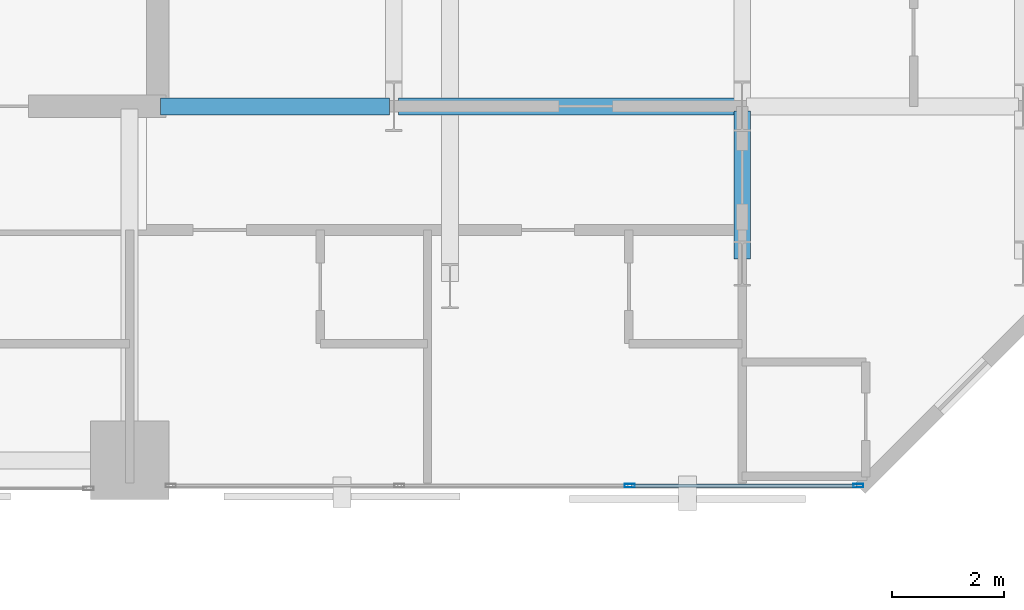
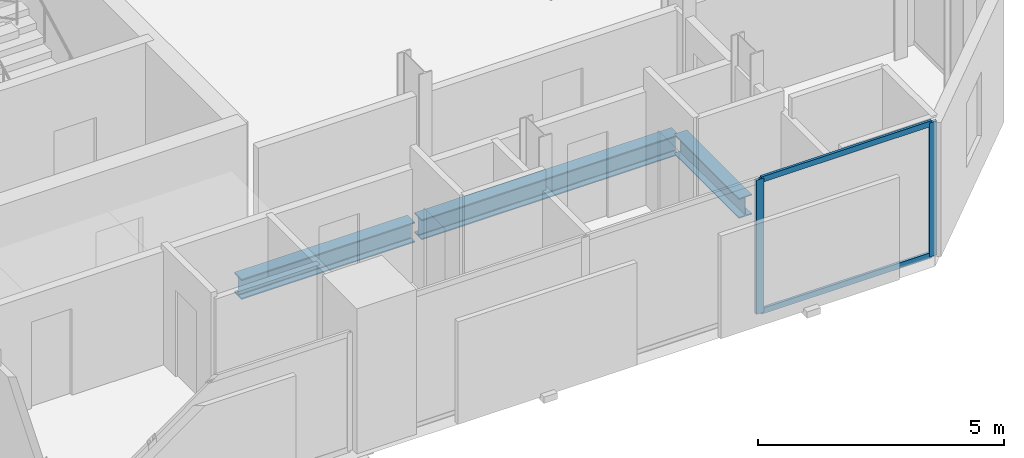
# One storey, part 16 of 33: 4 members, 3 beams, 1 element without a shape of its own.
"""IFC4 building model written with IfcOpenShell, lengths in metres."""

from ifc_helpers import new_model, si_unit, direction, frame, origin, origin_2d, place, context, subcontext, project, spatial, hollow_rectangle, i_section, extrude, material, layer, layer_set, material_profile, profile_set, type_object, element, aggregate, save


model = new_model("IFC4")

# Units and contexts
model_context = context("Model", 3, precision=1e-05, world=origin(), true_north=direction((0.0, 1.0)))
body_context = subcontext(model_context, "Body", "Model", "MODEL_VIEW")
ifc_project = project(units=[si_unit("LENGTHUNIT", "METRE"), si_unit("AREAUNIT", "SQUARE_METRE"), si_unit("VOLUMEUNIT", "CUBIC_METRE"), si_unit("PLANEANGLEUNIT", "RADIAN"), si_unit("MASSUNIT", "GRAM", prefix="KILO")], contexts=[model_context])

# Site, building, storey
site_placement = place(None, origin())
site = spatial("IfcSite", under=ifc_project, at=site_placement, CompositionType="ELEMENT")
building_placement = place(site_placement, origin())
building = spatial("IfcBuilding", under=site, at=building_placement, Name="Catumbela Crestline Tower", CompositionType="ELEMENT")
storey_placement = place(building_placement, frame((0.0, 0.0, 58.2)))
storey = spatial("IfcBuildingStorey", under=building, at=storey_placement, Name="L14", CompositionType="ELEMENT", Elevation=58.2)

# Beams
ifc_material_1 = material(Name="Structural steel S355J2", Category="steel")
ifc_material_profile_1 = material_profile(ifc_material_1, i_section(OverallWidth=0.3, OverallDepth=0.5, WebThickness=0.0145, FlangeThickness=0.028, FilletRadius=0.027, at=origin_2d()), Name="HEB 500")
ifc_profile_set_1 = profile_set([ifc_material_profile_1], Name="Structural steel S355J2")
beam_type = type_object("IfcBeamType", Name="BG-HEB500", PredefinedType="BEAM", material=ifc_profile_set_1)
beam_1_placement = place(storey_placement, frame((40.05, 30.8, -0.51), z_axis=(1.0, 0.0, 0.0), x_axis=(0.0, 1.0, 0.0)))
element("IfcBeam", 1, at=beam_1_placement, inside=storey, type_object=beam_type, Name="L14 Beam BM-L14-M10", PredefinedType="BEAM", context=body_context, shape_type="SweptSolid", body=[
    extrude(i_section(OverallWidth=0.3, OverallDepth=0.5, WebThickness=0.0145, FlangeThickness=0.028, FilletRadius=0.027, at=origin_2d()), origin(), (0.0, 0.0, 1.0), 4.07),
])
beam_2_placement = place(storey_placement, frame((44.28, 30.8, -0.51), z_axis=(1.0, 0.0, 0.0), x_axis=(0.0, 1.0, 0.0)))
element("IfcBeam", 2, at=beam_2_placement, inside=storey, type_object=beam_type, Name="L14 Beam BM-L14-M11", PredefinedType="BEAM", context=body_context, shape_type="SweptSolid", body=[
    extrude(i_section(OverallWidth=0.3, OverallDepth=0.5, WebThickness=0.0145, FlangeThickness=0.028, FilletRadius=0.027, at=origin_2d()), origin(), (0.0, 0.0, 1.0), 6.04),
])
beam_3_placement = place(storey_placement, frame((50.4, 28.08, -0.51), z_axis=(0.0, 1.0, 0.0), x_axis=(-1.0, 0.0, 0.0)))
element("IfcBeam", 3, at=beam_3_placement, inside=storey, type_object=beam_type, Name="L14 Beam BM-L14-SN37", PredefinedType="BEAM", context=body_context, shape_type="SweptSolid", body=[
    extrude(i_section(OverallWidth=0.3, OverallDepth=0.5, WebThickness=0.0145, FlangeThickness=0.028, FilletRadius=0.027, at=origin_2d()), origin(), (0.0, 0.0, 1.0), 2.64),
])

# Curtain wall, members
ifc_material_2 = material(Name="Aluminium alloy AW-6060-T66", Category="aluminium")
ifc_layer = layer(ifc_material_2, 0.18, Name="Aluminium alloy AW-6060-T66")
ifc_layer_set = layer_set([ifc_layer], Name="Aluminium alloy AW-6060-T66")
curtain_wall_type = type_object("IfcCurtainWallType", Name="CWU-Z1", PredefinedType="USERDEFINED", material=ifc_layer_set)
curtain_wall_placement = place(storey_placement, origin())
curtain_wall = element("IfcCurtainWall", 4, at=curtain_wall_placement, inside=storey, type_object=curtain_wall_type, Name="L14 Unitised Curtain Wall CW-L14-E3S2", ObjectType="UNITISED", PredefinedType="USERDEFINED")
ifc_material_profile_2 = material_profile(ifc_material_2, hollow_rectangle(XDim=0.065, YDim=0.18, WallThickness=0.004, at=origin_2d()), Name="ALU 180x65x4")
ifc_profile_set_2 = profile_set([ifc_material_profile_2], Name="Aluminium alloy AW-6060-T66")
member_type_1 = type_object("IfcMemberType", Name="MUL-180X65", PredefinedType="MULLION", material=ifc_profile_set_2)
member_1_placement = place(storey_placement, frame((48.4, 24.05, 0.0), z_axis=(0.0, 0.0, 1.0), x_axis=(0.0, 1.0, 0.0)))
member_1 = element("IfcMember", 5, at=member_1_placement, type_object=member_type_1, Name="CWU-Z1 mullion 3", PredefinedType="MULLION", context=body_context, shape_type="SweptSolid", body=[
    extrude(hollow_rectangle(XDim=0.065, YDim=0.18, WallThickness=0.004, at=origin_2d()), origin(), (0.0, 0.0, 1.0), 3.33),
])
member_2_placement = place(storey_placement, frame((52.4675, 24.05, 0.0), z_axis=(0.0, 0.0, 1.0), x_axis=(0.0, 1.0, 0.0)))
member_2 = element("IfcMember", 6, at=member_2_placement, type_object=member_type_1, Name="CWU-Z1 mullion 4", PredefinedType="MULLION", context=body_context, shape_type="SweptSolid", body=[
    extrude(hollow_rectangle(XDim=0.065, YDim=0.18, WallThickness=0.004, at=origin_2d()), origin(), (0.0, 0.0, 1.0), 3.33),
])
ifc_material_profile_3 = material_profile(ifc_material_2, hollow_rectangle(XDim=0.06, YDim=0.14, WallThickness=0.004, at=origin_2d()), Name="ALU 140x60x4")
ifc_profile_set_3 = profile_set([ifc_material_profile_3], Name="Aluminium alloy AW-6060-T66")
member_type_2 = type_object("IfcMemberType", Name="TRN-140X60", PredefinedType="USERDEFINED", material=ifc_profile_set_3)
member_3_placement = place(storey_placement, frame((48.4325, 24.05, 0.03), z_axis=(1.0, 0.0, 0.0), x_axis=(0.0, 1.0, 0.0)))
member_3 = element("IfcMember", 7, at=member_3_placement, type_object=member_type_2, Name="CWU-Z1 transom 3.1", ObjectType="TRANSOM", PredefinedType="USERDEFINED", context=body_context, shape_type="SweptSolid", body=[
    extrude(hollow_rectangle(XDim=0.06, YDim=0.14, WallThickness=0.004, at=origin_2d()), origin(), (0.0, 0.0, 1.0), 4.0025),
])
member_4_placement = place(storey_placement, frame((48.4325, 24.05, 3.3), z_axis=(1.0, 0.0, 0.0), x_axis=(0.0, 1.0, 0.0)))
member_4 = element("IfcMember", 8, at=member_4_placement, type_object=member_type_2, Name="CWU-Z1 transom 3.2", ObjectType="TRANSOM", PredefinedType="USERDEFINED", context=body_context, shape_type="SweptSolid", body=[
    extrude(hollow_rectangle(XDim=0.06, YDim=0.14, WallThickness=0.004, at=origin_2d()), origin(), (0.0, 0.0, 1.0), 4.0025),
])
aggregate(curtain_wall, [member_1, member_2, member_3, member_4])

save(model, "model.ifc")
